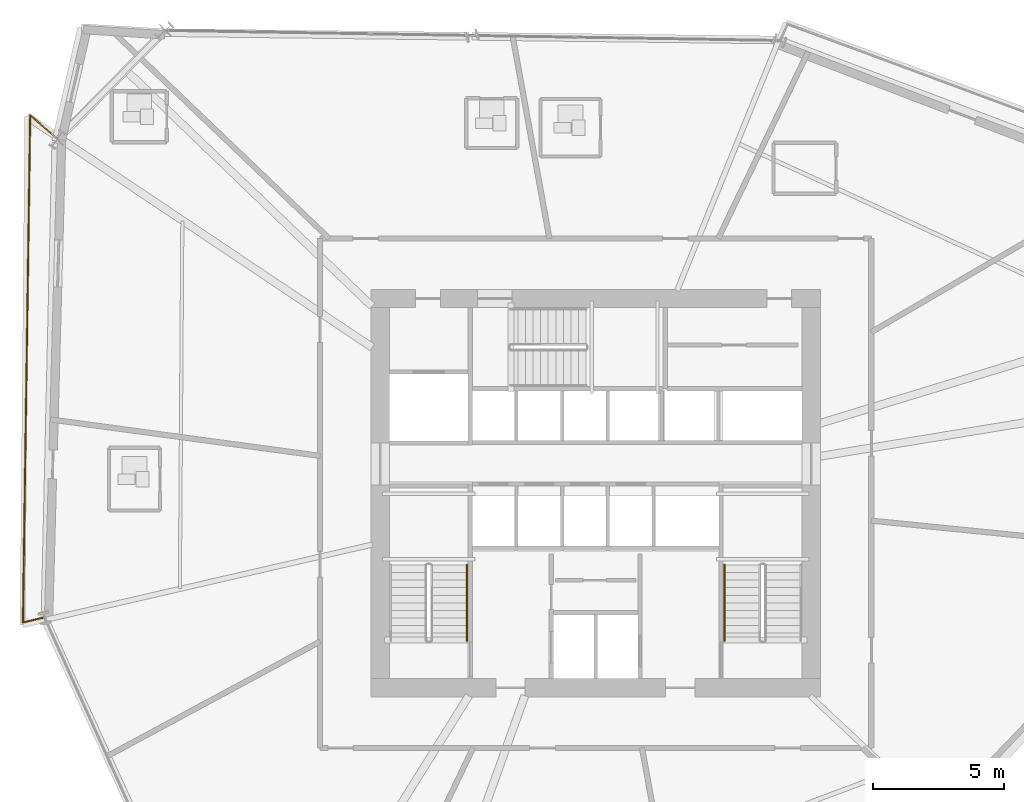
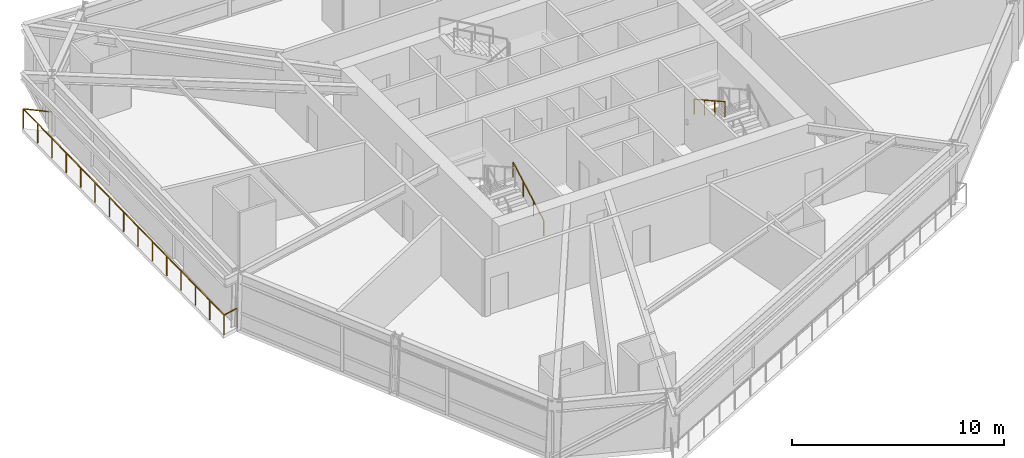
# One storey, part 19 of 22: 3 railings.
"""IFC4 building model written with IfcOpenShell, lengths in metres."""

from ifc_helpers import new_model, si_unit, direction, frame, origin, origin_2d, place, context, subcontext, project, spatial, rectangle, extrude, material, type_object, element, save


model = new_model("IFC4")

# Units and contexts
model_context = context("Model", 3, precision=1e-05, world=origin(), true_north=direction((0.0, 1.0)))
body_context = subcontext(model_context, "Body", "Model", "MODEL_VIEW")
ifc_project = project(units=[si_unit("LENGTHUNIT", "METRE"), si_unit("AREAUNIT", "SQUARE_METRE"), si_unit("VOLUMEUNIT", "CUBIC_METRE"), si_unit("PLANEANGLEUNIT", "RADIAN"), si_unit("MASSUNIT", "GRAM", prefix="KILO")], contexts=[model_context])

# Site, building, storey
site_placement = place(None, origin())
site = spatial("IfcSite", under=ifc_project, at=site_placement, CompositionType="ELEMENT")
building_placement = place(site_placement, origin())
building = spatial("IfcBuilding", under=site, at=building_placement, Name="Olszyna Solenne Hotel", CompositionType="ELEMENT")
storey_placement = place(building_placement, frame((0.0, 0.0, 87.949951171875)))
storey = spatial("IfcBuildingStorey", under=building, at=storey_placement, Name="L22", CompositionType="ELEMENT", Elevation=87.949951171875)

# Railings
ifc_material_1 = material(Name="Anodised bronze aluminium", Category="aluminium")
railing_type_1 = type_object("IfcRailingType", Name="GR-110", PredefinedType="BALUSTRADE", material=ifc_material_1)
railing_1_placement = place(storey_placement, frame((17.396240234375, 40.16259765625, 0.0)))
element("IfcRailing", 1, at=railing_1_placement, inside=storey, type_object=railing_type_1, Name="Loggia balcony balustrade guard GR-L22-LG2", PredefinedType="BALUSTRADE", context=body_context, shape_type="SweptSolid", body=[
    extrude(rectangle(XDim=0.048095703125, YDim=0.048095703125, at=origin_2d()), frame((0.0, 0.0, 1.1259765625), z_axis=(-0.756651852154, 0.653817998095, 0.0), x_axis=(-0.653817998095, -0.756651852154, 0.0)), (0.0, 0.0, 1.0), 1.37939453125),
    extrude(rectangle(XDim=0.048095703125, YDim=0.048095703125, at=origin_2d()), frame((-1.043701171875, 0.90185546875, 1.1259765625), z_axis=(-0.014310479521, -0.999897599845, 0.0), x_axis=(0.999897599845, -0.014310479521, 0.0)), (0.0, 0.0, 1.0), 19.41455078125),
    extrude(rectangle(XDim=0.048095703125, YDim=0.048095703125, at=origin_2d()), frame((-1.321533203125, -18.5107421875, 1.1259765625), z_axis=(0.974254791493, 0.225449775454, 0.0), x_axis=(-0.225449775454, 0.974254791493, 0.0)), (0.0, 0.0, 1.0), 0.845703125),
    extrude(rectangle(XDim=0.0419921875, YDim=0.0419921875, at=origin_2d()), origin(), (0.0, 0.0, 1.0), 1.101806640625),
    extrude(rectangle(XDim=0.0419921875, YDim=0.0419921875, at=origin_2d()), frame((-1.043701171875, 0.90185546875, 0.0)), (0.0, 0.0, 1.0), 1.101806640625),
    extrude(rectangle(XDim=0.0419921875, YDim=0.0419921875, at=origin_2d()), frame((-1.0634765625, -0.48486328125, 0.0)), (0.0, 0.0, 1.0), 1.101806640625),
    extrude(rectangle(XDim=0.0419921875, YDim=0.0419921875, at=origin_2d()), frame((-1.08349609375, -1.871337890625, 0.0)), (0.0, 0.0, 1.0), 1.101806640625),
    extrude(rectangle(XDim=0.0419921875, YDim=0.0419921875, at=origin_2d()), frame((-1.103271484375, -3.258056640625, 0.0)), (0.0, 0.0, 1.0), 1.101806640625),
    extrude(rectangle(XDim=0.0419921875, YDim=0.0419921875, at=origin_2d()), frame((-1.123046875, -4.64453125, 0.0)), (0.0, 0.0, 1.0), 1.101806640625),
    extrude(rectangle(XDim=0.0419921875, YDim=0.0419921875, at=origin_2d()), frame((-1.142822265625, -6.03125, 0.0)), (0.0, 0.0, 1.0), 1.101806640625),
    extrude(rectangle(XDim=0.0419921875, YDim=0.0419921875, at=origin_2d()), frame((-1.162841796875, -7.417724609375, 0.0)), (0.0, 0.0, 1.0), 1.101806640625),
    extrude(rectangle(XDim=0.0419921875, YDim=0.0419921875, at=origin_2d()), frame((-1.1826171875, -8.804443359375, 0.0)), (0.0, 0.0, 1.0), 1.101806640625),
    extrude(rectangle(XDim=0.0419921875, YDim=0.0419921875, at=origin_2d()), frame((-1.202392578125, -10.191162109375, 0.0)), (0.0, 0.0, 1.0), 1.101806640625),
    extrude(rectangle(XDim=0.0419921875, YDim=0.0419921875, at=origin_2d()), frame((-1.222412109375, -11.57763671875, 0.0)), (0.0, 0.0, 1.0), 1.101806640625),
    extrude(rectangle(XDim=0.0419921875, YDim=0.0419921875, at=origin_2d()), frame((-1.2421875, -12.96435546875, 0.0)), (0.0, 0.0, 1.0), 1.101806640625),
    extrude(rectangle(XDim=0.0419921875, YDim=0.0419921875, at=origin_2d()), frame((-1.261962890625, -14.350830078125, 0.0)), (0.0, 0.0, 1.0), 1.101806640625),
    extrude(rectangle(XDim=0.0419921875, YDim=0.0419921875, at=origin_2d()), frame((-1.28173828125, -15.737548828125, 0.0)), (0.0, 0.0, 1.0), 1.101806640625),
    extrude(rectangle(XDim=0.0419921875, YDim=0.0419921875, at=origin_2d()), frame((-1.3017578125, -17.1240234375, 0.0)), (0.0, 0.0, 1.0), 1.101806640625),
    extrude(rectangle(XDim=0.0419921875, YDim=0.0419921875, at=origin_2d()), frame((-1.321533203125, -18.5107421875, 0.0)), (0.0, 0.0, 1.0), 1.101806640625),
    extrude(rectangle(XDim=0.0419921875, YDim=0.0419921875, at=origin_2d()), frame((-0.49755859375, -18.320068359375, 0.0)), (0.0, 0.0, 1.0), 1.101806640625),
])
ifc_material_2 = material(Name="Steel S355J2", Category="steel")
railing_type_2 = type_object("IfcRailingType", Name="HR-090", PredefinedType="HANDRAIL", material=ifc_material_2)
railing_2_placement = place(storey_placement, frame((33.070068359375, 20.949951171875, 0.161376953125)))
element("IfcRailing", 2, at=railing_2_placement, inside=storey, type_object=railing_type_2, Name="L22 ST1 stair handrail 1", PredefinedType="HANDRAIL", context=body_context, shape_type="SweptSolid", body=[
    extrude(rectangle(XDim=0.048095703125, YDim=0.048095703125, at=origin_2d()), frame((0.0, 0.0, 0.8759765625), z_axis=(0.0, 0.873827439584, 0.48623616261), x_axis=(-1.0, 0.0, 0.0)), (0.0, 0.0, 1.0), 3.31884765625),
    extrude(rectangle(XDim=0.0419921875, YDim=0.0419921875, at=origin_2d()), origin(), (0.0, 0.0, 1.0), 0.851806640625),
    extrude(rectangle(XDim=0.0419921875, YDim=0.0419921875, at=origin_2d()), frame((0.0, 0.966796875, 0.537841796875)), (0.0, 0.0, 1.0), 0.851806640625),
    extrude(rectangle(XDim=0.0419921875, YDim=0.0419921875, at=origin_2d()), frame((0.0, 1.933349609375, 1.075927734375)), (0.0, 0.0, 1.0), 0.851806640625),
    extrude(rectangle(XDim=0.0419921875, YDim=0.0419921875, at=origin_2d()), frame((0.0, 2.900146484375, 1.61376953125)), (0.0, 0.0, 1.0), 0.851806640625),
])
railing_3_placement = place(storey_placement, frame((42.929931640625, 23.85009765625, 1.9365234375)))
element("IfcRailing", 3, at=railing_3_placement, inside=storey, type_object=railing_type_2, Name="L22 ST2 stair handrail 2", PredefinedType="HANDRAIL", context=body_context, shape_type="SweptSolid", body=[
    extrude(rectangle(XDim=0.048095703125, YDim=0.048095703125, at=origin_2d()), frame((0.0, 0.0, 0.8759765625), z_axis=(0.0, -0.873858693841, 0.486179990537), x_axis=(1.0, 0.0, 0.0)), (0.0, 0.0, 1.0), 3.31884765625),
    extrude(rectangle(XDim=0.0419921875, YDim=0.0419921875, at=origin_2d()), origin(), (0.0, 0.0, 1.0), 0.851806640625),
    extrude(rectangle(XDim=0.0419921875, YDim=0.0419921875, at=origin_2d()), frame((0.0, -0.966796875, 0.537841796875)), (0.0, 0.0, 1.0), 0.851806640625),
    extrude(rectangle(XDim=0.0419921875, YDim=0.0419921875, at=origin_2d()), frame((0.0, -1.933349609375, 1.07568359375)), (0.0, 0.0, 1.0), 0.851806640625),
    extrude(rectangle(XDim=0.0419921875, YDim=0.0419921875, at=origin_2d()), frame((0.0, -2.900146484375, 1.613525390625)), (0.0, 0.0, 1.0), 0.851806640625),
])

save(model, "model.ifc")
